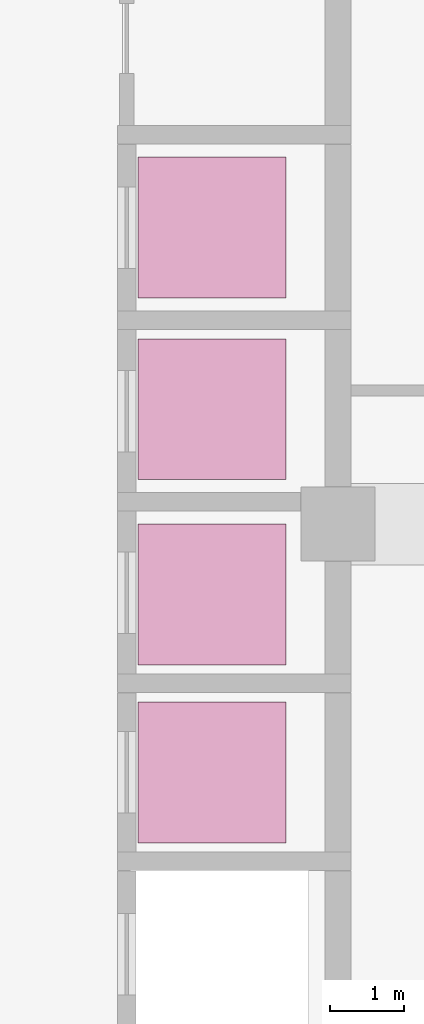
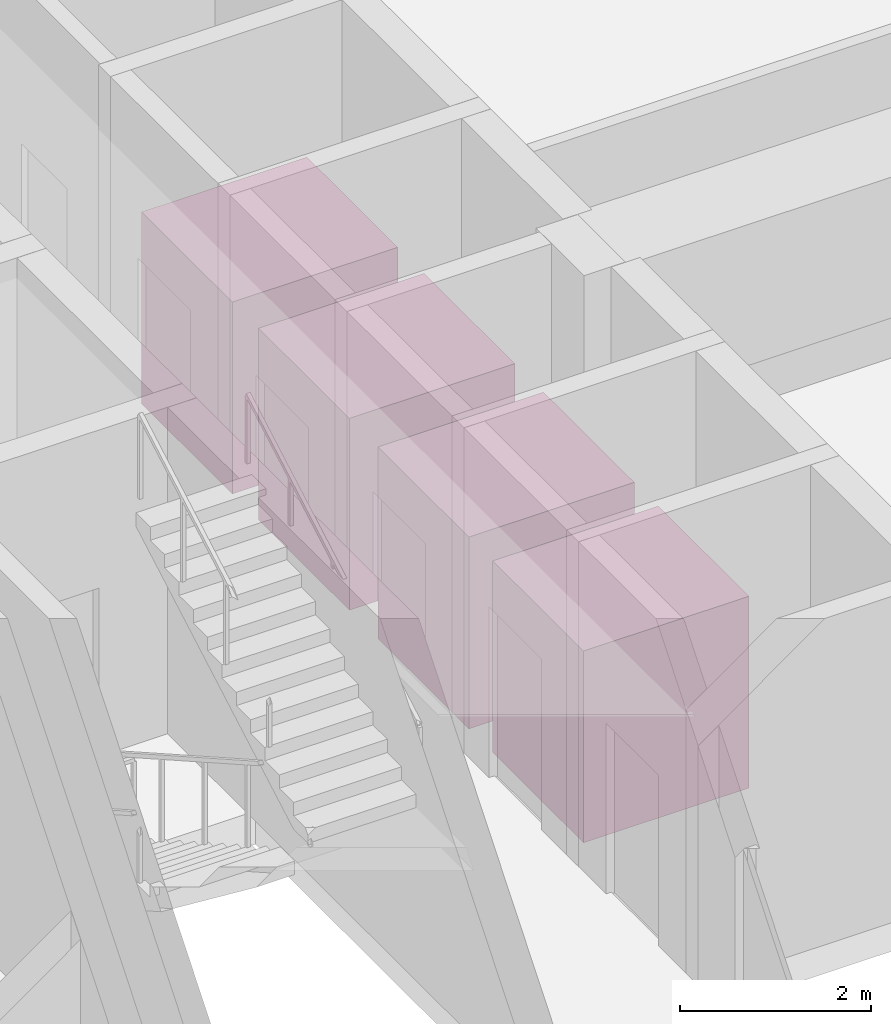
# One storey, part 21 of 21: 4 transport elements.
"""IFC4 building model written with IfcOpenShell, lengths in metres."""

from ifc_helpers import new_model, si_unit, direction, frame, origin, origin_2d, place, context, subcontext, project, spatial, rectangle, extrude, material, type_object, element, save


model = new_model("IFC4")

# Units and contexts
model_context = context("Model", 3, precision=1e-05, world=origin(), true_north=direction((0.0, 1.0)))
body_context = subcontext(model_context, "Body", "Model", "MODEL_VIEW")
ifc_project = project(units=[si_unit("LENGTHUNIT", "METRE"), si_unit("AREAUNIT", "SQUARE_METRE"), si_unit("VOLUMEUNIT", "CUBIC_METRE"), si_unit("PLANEANGLEUNIT", "RADIAN"), si_unit("MASSUNIT", "GRAM", prefix="KILO")], contexts=[model_context])

# Site, building, storey
site_placement = place(None, origin())
site = spatial("IfcSite", under=ifc_project, at=site_placement, CompositionType="ELEMENT")
building_placement = place(site_placement, origin())
building = spatial("IfcBuilding", under=site, at=building_placement, Name="Zulmaris Gate Convention Tower", CompositionType="ELEMENT")
storey_placement = place(building_placement, frame((0.0, 0.0, 86.93994140625)))
storey = spatial("IfcBuildingStorey", under=building, at=storey_placement, Name="L21", CompositionType="ELEMENT", Elevation=86.93994140625)

# Transport elements
ifc_material = material(Name="Brushed Stainless Steel", Category="steel")
transport_element_type = type_object("IfcTransportElementType", Name="LIFT-PASS-1600", PredefinedType="ELEVATOR", material=ifc_material)
for number, where, z_axis, x_axis, name in (
    (1, (18.300048828125, -3.35009765625, 0.0), (0.0, 0.0, 1.0), (1.0, 0.0, 0.0), "Elevator MP-01"),
    (2, (18.300048828125, -0.949951171875, 0.0), (0.0, 0.0, 1.0), (1.0, 0.0, 0.0), "Elevator MP-02"),
    (3, (18.300048828125, 1.550048828125, 0.0), (0.0, 0.0, 1.0), (1.0, 0.0, 0.0), "Elevator MP-03"),
    (4, (18.300048828125, 4.0, 0.0), (0.0, 0.0, 1.0), (1.0, 0.0, 0.0), "Elevator MP-04"),
):
    element("IfcTransportElement", number, at=place(storey_placement, frame(where, z_axis=z_axis, x_axis=x_axis)), inside=storey, type_object=transport_element_type, Name=name, PredefinedType="ELEVATOR", context=body_context, shape_type="SweptSolid", body=[
        extrude(rectangle(XDim=2.0, YDim=1.89990234375, at=origin_2d()), origin(), (0.0, 0.0, 1.0), 2.449951171875),
    ])

save(model, "model.ifc")
